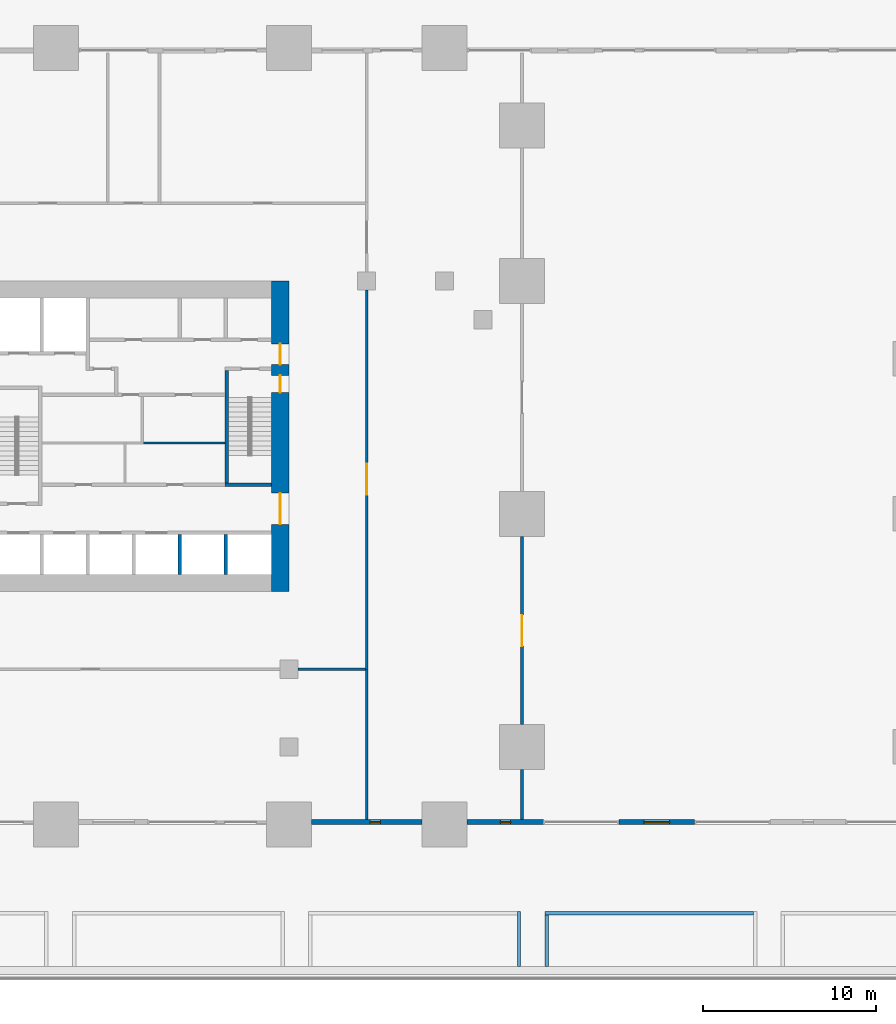
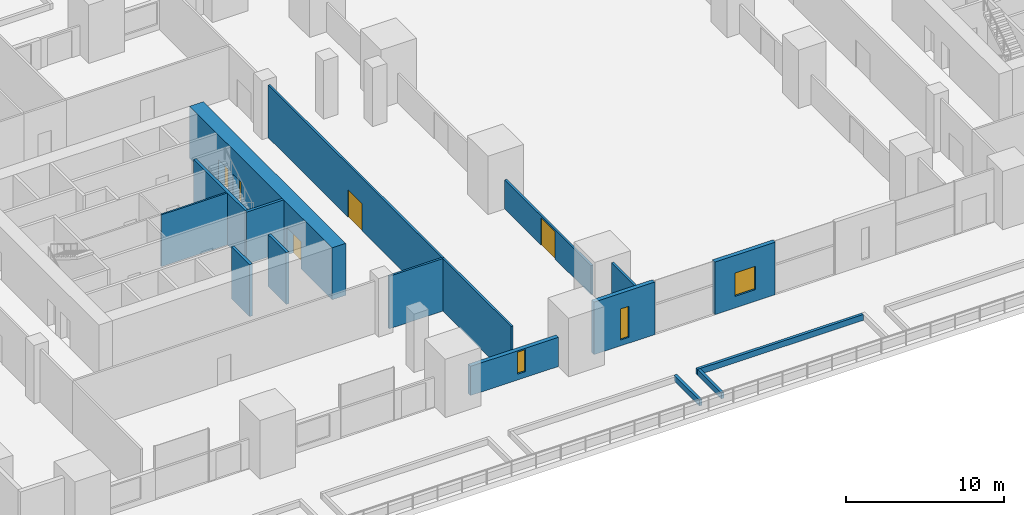
# One storey, part 16 of 26: 17 walls, 5 doors, 3 windows, 8 openings.
"""IFC4 building model written with IfcOpenShell, lengths in metres."""

from ifc_helpers import new_model, si_unit, direction, frame, frame_2d, origin, place, context, subcontext, project, spatial, rectangle, extrude, material, layer, layer_set, type_object, element, fill, save


model = new_model("IFC4")

# Units and contexts
model_context = context("Model", 3, precision=1e-05, world=origin(), true_north=direction((0.0, 1.0)))
body_context = subcontext(model_context, "Body", "Model", "MODEL_VIEW")
ifc_project = project(units=[si_unit("LENGTHUNIT", "METRE"), si_unit("AREAUNIT", "SQUARE_METRE"), si_unit("VOLUMEUNIT", "CUBIC_METRE"), si_unit("PLANEANGLEUNIT", "RADIAN"), si_unit("MASSUNIT", "GRAM", prefix="KILO")], contexts=[model_context])

# Site, building, storey
site_placement = place(None, origin())
site = spatial("IfcSite", under=ifc_project, at=site_placement, CompositionType="ELEMENT")
building_placement = place(site_placement, origin())
building = spatial("IfcBuilding", under=site, at=building_placement, Name="Altepetl Exchange Towers", CompositionType="ELEMENT")
storey_placement = place(building_placement, frame((0.0, 0.0, 16.5)))
storey = spatial("IfcBuildingStorey", under=building, at=storey_placement, Name="L03 Podium terrace", CompositionType="ELEMENT", Elevation=16.5)

# Wall, openings, doors
ifc_material_1 = material(Name="Concrete C70/85", Category="concrete")
ifc_layer_1 = layer(ifc_material_1, 1.0)
ifc_layer_set_1 = layer_set([ifc_layer_1], Name="Concrete C70/85")
wall_type_1 = type_object("IfcWallType", Name="Core wall 1000 reinforced concrete", PredefinedType="SHEAR", material=ifc_layer_set_1)
wall_1_placement = place(storey_placement, frame((58.0, 40.5, 0.0), z_axis=(0.0, 0.0, 1.0), x_axis=(0.0, 1.0, 0.0)))
wall_1 = element("IfcWall", 1, at=wall_1_placement, inside=storey, type_object=wall_type_1, Name="wall:A:L03:K-coreE", PredefinedType="SHEAR", context=body_context, shape_type="SweptSolid", body=[
    extrude(rectangle(XDim=18.0, YDim=1.0, at=frame_2d((9.0, 0.0))), origin(), (0.0, 0.0, 1.0), 4.0),
])
opening_1_placement = place(wall_1_placement, frame((13.14990234375, 0.0, 0.0)))
opening_1 = element("IfcOpeningElement", 2, at=opening_1_placement, cuts=wall_1, Name="Opening L03.A60", PredefinedType="OPENING", context=body_context, shape_type="SweptSolid", body=[
    extrude(rectangle(XDim=1.199951171875, YDim=2.10009765625, at=frame_2d((0.60009765625, 1.050048828125))), frame((0.0, 0.510009765625, 0.0), z_axis=(0.0, -1.0, 0.0), x_axis=(1.0, 0.0, 0.0)), (0.0, 0.0, 1.0), 1.02001953125),
])
opening_2_placement = place(wall_1_placement, frame((3.89990234375, 0.0, 0.0)))
opening_2 = element("IfcOpeningElement", 3, at=opening_2_placement, cuts=wall_1, Name="Opening L03.A61", PredefinedType="OPENING", context=body_context, shape_type="SweptSolid", body=[
    extrude(rectangle(XDim=1.800048828125, YDim=2.10009765625, at=frame_2d((0.89990234375, 1.050048828125))), frame((0.0, 0.510009765625, 0.0), z_axis=(0.0, -1.0, 0.0), x_axis=(1.0, 0.0, 0.0)), (0.0, 0.0, 1.0), 1.02001953125),
])
opening_3_placement = place(wall_1_placement, frame((11.52490234375, 0.0, 0.0)))
opening_3 = element("IfcOpeningElement", 4, at=opening_3_placement, cuts=wall_1, Name="Opening L03.A66", PredefinedType="OPENING", context=body_context, shape_type="SweptSolid", body=[
    extrude(rectangle(XDim=1.0, YDim=2.10009765625, at=frame_2d((0.5, 1.050048828125))), frame((0.0, 0.510009765625, 0.0), z_axis=(0.0, -1.0, 0.0), x_axis=(1.0, 0.0, 0.0)), (0.0, 0.0, 1.0), 1.02001953125),
])
ifc_material_2 = material(Name="Steel and timber fire door", Category="steel")
door_type_1 = type_object("IfcDoorType", Name="Fire door 1000 x 2100 stair and lobby", OperationType="SINGLE_SWING_LEFT", PredefinedType="DOOR", material=ifc_material_2)
door_1_placement = place(opening_3_placement, origin())
door_1 = element("IfcDoor", 5, at=door_1_placement, inside=storey, type_object=door_type_1, Name="door:A:L03:K-dS2x", OperationType="SINGLE_SWING_RIGHT", OverallHeight=2.10009765625, OverallWidth=1.0, PredefinedType="DOOR", context=body_context, shape_type="SweptSolid", body=[
    extrude(rectangle(XDim=1.0, YDim=2.10009765625, at=frame_2d((0.5, 1.050048828125))), frame((0.0, 0.02490234375, 0.0), z_axis=(0.0, -1.0, 0.0), x_axis=(1.0, 0.0, 0.0)), (0.0, 0.0, 1.0), 0.050048828125),
])
fill(opening_3, door_1)
door_type_2 = type_object("IfcDoorType", Name="Fire door 1200 x 2100 lobby entry", OperationType="SINGLE_SWING_LEFT", PredefinedType="DOOR", material=ifc_material_2)
door_2_placement = place(opening_1_placement, origin())
door_2 = element("IfcDoor", 6, at=door_2_placement, inside=storey, type_object=door_type_2, Name="door:A:L03:K-dLNE", OperationType="SINGLE_SWING_RIGHT", OverallHeight=2.10009765625, OverallWidth=1.199951171875, PredefinedType="DOOR", context=body_context, shape_type="SweptSolid", body=[
    extrude(rectangle(XDim=1.199951171875, YDim=2.10009765625, at=frame_2d((0.60009765625, 1.050048828125))), frame((0.0, 0.02490234375, 0.0), z_axis=(0.0, -1.0, 0.0), x_axis=(1.0, 0.0, 0.0)), (0.0, 0.0, 1.0), 0.050048828125),
])
fill(opening_1, door_2)
door_type_3 = type_object("IfcDoorType", Name="Fire door 1800 x 2100 lobby entry", OperationType="DOUBLE_DOOR_SINGLE_SWING", PredefinedType="DOOR", material=ifc_material_2)
door_3_placement = place(opening_2_placement, origin())
door_3 = element("IfcDoor", 7, at=door_3_placement, inside=storey, type_object=door_type_3, Name="door:A:L03:K-dLSE", OperationType="DOUBLE_DOOR_SINGLE_SWING", OverallHeight=2.10009765625, OverallWidth=1.800048828125, PredefinedType="DOOR", context=body_context, shape_type="SweptSolid", body=[
    extrude(rectangle(XDim=1.800048828125, YDim=2.10009765625, at=frame_2d((0.89990234375, 1.050048828125))), frame((0.0, 0.02490234375, 0.0), z_axis=(0.0, -1.0, 0.0), x_axis=(1.0, 0.0, 0.0)), (0.0, 0.0, 1.0), 0.050048828125),
])
fill(opening_2, door_3)

# Walls
ifc_material_3 = material(Name="Gypsum board on steel studs", Category="steel")
ifc_layer_2 = layer(ifc_material_3, 0.125)
ifc_layer_set_2 = layer_set([ifc_layer_2], Name="Gypsum board on steel studs")
wall_type_2 = type_object("IfcWallType", Name="Partition 125 gypsum board on steel studs", PredefinedType="PARTITIONING", material=ifc_layer_set_2)
wall_2_placement = place(storey_placement, frame((54.800048828125, 49.10009765625, 0.0), z_axis=(0.0, 0.0, 1.0), x_axis=(-1.0, 0.0, 0.0)))
element("IfcWall", 8, at=wall_2_placement, inside=storey, type_object=wall_type_2, Name="wall:A:L03:K-zp4", PredefinedType="PARTITIONING", context=body_context, shape_type="SweptSolid", body=[
    extrude(rectangle(XDim=4.800048828125, YDim=0.125, at=frame_2d((2.39990234375, 0.0))), origin(), (0.0, 0.0, 1.0), 4.0),
])
ifc_material_4 = material(Name="Reinforced concrete C35/45", Category="concrete")
ifc_layer_3 = layer(ifc_material_4, 0.199951171875)
ifc_layer_set_3 = layer_set([ifc_layer_3], Name="Reinforced concrete C35/45")
wall_type_3 = type_object("IfcWallType", Name="Planting bed curb 200", PredefinedType="SOLIDWALL", material=ifc_layer_set_3)
wall_3_placement = place(storey_placement, frame((71.824951171875, 18.77490234375, 0.0), z_axis=(0.0, 0.0, 1.0), x_axis=(0.0, 1.0, 0.0)))
element("IfcWall", 9, at=wall_3_placement, inside=storey, type_object=wall_type_3, Name="wall:P:L03:CB07e", PredefinedType="SOLIDWALL", context=body_context, shape_type="SweptSolid", body=[
    extrude(rectangle(XDim=3.2001953125, YDim=0.199951171875, at=frame_2d((1.60009765625, 0.0))), origin(), (0.0, 0.0, 1.0), 0.449951171875),
])
wall_4_placement = place(storey_placement, frame((73.324951171875, 21.875, 0.0)))
element("IfcWall", 10, at=wall_4_placement, inside=storey, type_object=wall_type_3, Name="wall:P:L03:CB08n", PredefinedType="SOLIDWALL", context=body_context, shape_type="SweptSolid", body=[
    extrude(rectangle(XDim=12.087646484375, YDim=0.199951171875, at=frame_2d((6.0439453125, 0.0))), origin(), (0.0, 0.0, 1.0), 0.449951171875),
])
wall_5_placement = place(storey_placement, frame((73.425048828125, 18.77490234375, 0.0), z_axis=(0.0, 0.0, 1.0), x_axis=(0.0, 1.0, 0.0)))
element("IfcWall", 11, at=wall_5_placement, inside=storey, type_object=wall_type_3, Name="wall:P:L03:CB08w", PredefinedType="SOLIDWALL", context=body_context, shape_type="SweptSolid", body=[
    extrude(rectangle(XDim=3.0, YDim=0.199951171875, at=frame_2d((1.5, 0.0))), origin(), (0.0, 0.0, 1.0), 0.449951171875),
])
ifc_layer_4 = layer(ifc_material_3, 0.14990234375)
ifc_layer_set_4 = layer_set([ifc_layer_4], Name="Gypsum board on steel studs")
wall_type_4 = type_object("IfcWallType", Name="Podium partition 150", PredefinedType="PARTITIONING", material=ifc_layer_set_4)
wall_6_placement = place(storey_placement, frame((72.0, 27.300048828125, 0.0), z_axis=(0.0, 0.0, 1.0), x_axis=(0.0, 1.0, 0.0)))
element("IfcWall", 12, at=wall_6_placement, inside=storey, type_object=wall_type_4, Name="wall:P:L03:P001", PredefinedType="PARTITIONING", context=body_context, shape_type="SweptSolid", body=[
    extrude(rectangle(XDim=2.905029296875, YDim=0.14990234375, at=frame_2d((1.45263671875, 0.0))), origin(), (0.0, 0.0, 1.0), 4.050048828125),
])

# Wall, opening, door
wall_7_placement = place(storey_placement, frame((72.0, 32.794921875, 0.0), z_axis=(0.0, 0.0, 1.0), x_axis=(0.0, 1.0, 0.0)))
wall_7 = element("IfcWall", 13, at=wall_7_placement, inside=storey, type_object=wall_type_4, Name="wall:P:L03:P002", PredefinedType="PARTITIONING", context=body_context, shape_type="SweptSolid", body=[
    extrude(rectangle(XDim=10.91015625, YDim=0.14990234375, at=frame_2d((5.455078125, 0.0))), origin(), (0.0, 0.0, 1.0), 2.25),
])
opening_4_placement = place(wall_7_placement, frame((4.550048828125, 0.0, 0.0)))
opening_4 = element("IfcOpeningElement", 14, at=opening_4_placement, cuts=wall_7, Name="Opening L03.P012", PredefinedType="OPENING", context=body_context, shape_type="SweptSolid", body=[
    extrude(rectangle(XDim=1.800048828125, YDim=2.10009765625, at=frame_2d((0.89990234375, 1.050048828125))), frame((0.0, 0.0849609375, 0.0), z_axis=(0.0, -1.0, 0.0), x_axis=(1.0, 0.0, 0.0)), (0.0, 0.0, 1.0), 0.169921875),
])
ifc_material_5 = material(Name="Glazed aluminium and steel", Category="steel")
door_type_4 = type_object("IfcDoorType", Name="Podium fire door 1800 x 2100 double leaf", OperationType="DOUBLE_DOOR_SINGLE_SWING", PredefinedType="DOOR", material=ifc_material_5)
door_4_placement = place(opening_4_placement, origin())
door_4 = element("IfcDoor", 15, at=door_4_placement, inside=storey, type_object=door_type_4, Name="door:P:L03:012", OperationType="DOUBLE_DOOR_SINGLE_SWING", OverallHeight=2.10009765625, OverallWidth=1.800048828125, PredefinedType="DOOR", context=body_context, shape_type="SweptSolid", body=[
    extrude(rectangle(XDim=1.800048828125, YDim=2.10009765625, at=frame_2d((0.89990234375, 1.050048828125))), frame((0.0, 0.02490234375, 0.0), z_axis=(0.0, -1.0, 0.0), x_axis=(1.0, 0.0, 0.0)), (0.0, 0.0, 1.0), 0.050048828125),
])
fill(opening_4, door_4)

wall_8_placement = place(storey_placement, frame((63.0, 35.925048828125, 0.0), z_axis=(0.0, 0.0, 1.0), x_axis=(0.0, 1.0, 0.0)))
wall_8 = element("IfcWall", 16, at=wall_8_placement, inside=storey, type_object=wall_type_4, Name="wall:P:L03:P012", PredefinedType="PARTITIONING", context=body_context, shape_type="SweptSolid", body=[
    extrude(rectangle(XDim=22.054931640625, YDim=0.14990234375, at=frame_2d((11.02734375, 0.0))), origin(), (0.0, 0.0, 1.0), 4.050048828125),
])
opening_5_placement = place(wall_8_placement, frame((10.175048828125, 0.0, 0.0)))
opening_5 = element("IfcOpeningElement", 17, at=opening_5_placement, cuts=wall_8, Name="Opening L03.P017", PredefinedType="OPENING", context=body_context, shape_type="SweptSolid", body=[
    extrude(rectangle(XDim=1.800048828125, YDim=2.10009765625, at=frame_2d((0.89990234375, 1.050048828125))), frame((0.0, 0.0849609375, 0.0), z_axis=(0.0, -1.0, 0.0), x_axis=(1.0, 0.0, 0.0)), (0.0, 0.0, 1.0), 0.169921875),
])
door_5_placement = place(opening_5_placement, frame((1.800048828125, 0.0, 0.0), x_axis=(-1.0, 0.0, 0.0)))
door_5 = element("IfcDoor", 18, at=door_5_placement, inside=storey, type_object=door_type_4, Name="door:P:L03:017", OperationType="DOUBLE_DOOR_SINGLE_SWING", OverallHeight=2.10009765625, OverallWidth=1.800048828125, PredefinedType="DOOR", context=body_context, shape_type="SweptSolid", body=[
    extrude(rectangle(XDim=1.800048828125, YDim=2.10009765625, at=frame_2d((0.89990234375, 1.050048828125))), frame((0.0, 0.02490234375, 0.0), z_axis=(0.0, -1.0, 0.0), x_axis=(1.0, 0.0, 0.0)), (0.0, 0.0, 1.0), 0.050048828125),
])
fill(opening_5, door_5)

# Walls
wall_9_placement = place(storey_placement, frame((63.0, 27.300048828125, 0.0), z_axis=(0.0, 0.0, 1.0), x_axis=(0.0, 1.0, 0.0)))
element("IfcWall", 19, at=wall_9_placement, inside=storey, type_object=wall_type_4, Name="wall:P:L03:P014", PredefinedType="PARTITIONING", context=body_context, shape_type="SweptSolid", body=[
    extrude(rectangle(XDim=8.699951171875, YDim=0.14990234375, at=frame_2d((4.35009765625, 0.0))), origin(), (0.0, 0.0, 1.0), 4.050048828125),
])
wall_10_placement = place(storey_placement, frame((59.02001953125, 36.0, 0.0)))
element("IfcWall", 20, at=wall_10_placement, inside=storey, type_object=wall_type_4, Name="wall:P:L03:P020", PredefinedType="PARTITIONING", context=body_context, shape_type="SweptSolid", body=[
    extrude(rectangle(XDim=3.905029296875, YDim=0.14990234375, at=frame_2d((1.95263671875, 0.0))), origin(), (0.0, 0.0, 1.0), 4.050048828125),
])
ifc_material_6 = material(Name="Concrete C40/50", Category="concrete")
ifc_layer_5 = layer(ifc_material_6, 0.199951171875)
ifc_layer_set_5 = layer_set([ifc_layer_5], Name="Concrete C40/50")
wall_type_5 = type_object("IfcWallType", Name="Shaft wall 200 reinforced concrete", PredefinedType="SHEAR", material=ifc_layer_set_5)
for number, where, z_axis, x_axis, name in (
    (21, (52.166748046875, 41.5, 0.0), (0.0, 0.0, 1.0), (0.0, 1.0, 0.0), "wall:A:L03:K-divS4"),
    (22, (54.833251953125, 41.5, 0.0), (0.0, 0.0, 1.0), (0.0, 1.0, 0.0), "wall:A:L03:K-divS5"),
):
    element("IfcWall", number, at=place(storey_placement, frame(where, z_axis=z_axis, x_axis=x_axis)), inside=storey, type_object=wall_type_5, Name=name, PredefinedType="SHEAR", context=body_context, shape_type="SweptSolid", body=[
        extrude(rectangle(XDim=2.300048828125, YDim=0.199951171875, at=frame_2d((1.14990234375, 0.0))), origin(), (0.0, 0.0, 1.0), 4.0),
    ])
ifc_layer_6 = layer(ifc_material_6, 0.199951171875)
ifc_layer_set_6 = layer_set([ifc_layer_6], Name="Concrete C40/50")
wall_type_6 = type_object("IfcWallType", Name="Stair wall 200 reinforced concrete", PredefinedType="SHEAR", material=ifc_layer_set_6)
wall_11_placement = place(storey_placement, frame((54.800048828125, 46.699951171875, 0.0)))
element("IfcWall", 23, at=wall_11_placement, inside=storey, type_object=wall_type_6, Name="wall:A:L03:K-stS2S", PredefinedType="SHEAR", context=body_context, shape_type="SweptSolid", body=[
    extrude(rectangle(XDim=2.699951171875, YDim=0.199951171875, at=frame_2d((1.35009765625, 0.0))), origin(), (0.0, 0.0, 1.0), 4.0),
])
wall_12_placement = place(storey_placement, frame((54.89990234375, 46.800048828125, 0.0), z_axis=(0.0, 0.0, 1.0), x_axis=(0.0, 1.0, 0.0)))
element("IfcWall", 24, at=wall_12_placement, inside=storey, type_object=wall_type_6, Name="wall:A:L03:K-stS2W", PredefinedType="SHEAR", context=body_context, shape_type="SweptSolid", body=[
    extrude(rectangle(XDim=6.5, YDim=0.199951171875, at=frame_2d((3.25, 0.0))), origin(), (0.0, 0.0, 1.0), 4.0),
])

# Wall, opening, window
ifc_material_7 = material(Name="Cantera limestone cladding", Category="masonry")
ifc_layer_7 = layer(ifc_material_7, 0.300048828125)
ifc_layer_set_7 = layer_set([ifc_layer_7], Name="Cantera limestone cladding")
wall_type_7 = type_object("IfcWallType", Name="Stone wall panel 300", PredefinedType="ELEMENTEDWALL", material=ifc_layer_set_7)
wall_13_placement = place(storey_placement, frame((59.800048828125, 27.14990234375, 0.0)))
wall_13 = element("IfcWall", 25, at=wall_13_placement, inside=storey, type_object=wall_type_7, Name="Stone wall panel", PredefinedType="ELEMENTEDWALL", context=body_context, shape_type="SweptSolid", body=[
    extrude(rectangle(XDim=6.39990234375, YDim=0.300048828125, at=frame_2d((3.199951171875, 0.0))), origin(), (0.0, 0.0, 1.0), 2.25),
])
opening_6_placement = place(wall_13_placement, frame((3.39990234375, 0.0, 0.449951171875)))
opening_6 = element("IfcOpeningElement", 26, at=opening_6_placement, cuts=wall_13, Name="Opening W6", PredefinedType="OPENING", context=body_context, shape_type="SweptSolid", body=[
    extrude(rectangle(XDim=0.60009765625, YDim=1.699951171875, at=frame_2d((0.300048828125, 0.85009765625))), frame((0.0, 0.16015625, 0.0), z_axis=(0.0, -1.0, 0.0), x_axis=(1.0, 0.0, 0.0)), (0.0, 0.0, 1.0), 0.320068359375),
])
ifc_material_8 = material(Name="Aluminium 6063-T6 and glass", Category="aluminium")
window_type_1 = type_object("IfcWindowType", Name="Tall slot window 600x1700", PartitioningType="SINGLE_PANEL", PredefinedType="WINDOW", material=ifc_material_8)
window_1_placement = place(opening_6_placement, origin())
window_1 = element("IfcWindow", 27, at=window_1_placement, inside=storey, type_object=window_type_1, Name="Window", OverallHeight=1.699951171875, OverallWidth=0.60009765625, PartitioningType="SINGLE_PANEL", PredefinedType="WINDOW", context=body_context, shape_type="SweptSolid", body=[
    extrude(rectangle(XDim=0.60009765625, YDim=1.699951171875, at=frame_2d((0.300048828125, 0.85009765625))), frame((0.0, 0.030029296875, 0.0), z_axis=(0.0, -1.0, 0.0), x_axis=(1.0, 0.0, 0.0)), (0.0, 0.0, 1.0), 0.06005859375),
])
fill(opening_6, window_1)

wall_14_placement = place(storey_placement, frame((68.800048828125, 27.14990234375, 0.0)))
wall_14 = element("IfcWall", 28, at=wall_14_placement, inside=storey, type_object=wall_type_7, Name="Stone wall panel", PredefinedType="ELEMENTEDWALL", context=body_context, shape_type="SweptSolid", body=[
    extrude(rectangle(XDim=4.433349609375, YDim=0.300048828125, at=frame_2d((2.216796875, 0.0))), origin(), (0.0, 0.0, 1.0), 4.050048828125),
])
opening_7_placement = place(wall_14_placement, frame((1.941650390625, 0.0, 0.449951171875)))
opening_7 = element("IfcOpeningElement", 29, at=opening_7_placement, cuts=wall_14, Name="Opening W3", PredefinedType="OPENING", context=body_context, shape_type="SweptSolid", body=[
    extrude(rectangle(XDim=0.60009765625, YDim=2.39990234375, at=frame_2d((0.300048828125, 1.199951171875))), frame((0.0, 0.16015625, 0.0), z_axis=(0.0, -1.0, 0.0), x_axis=(1.0, 0.0, 0.0)), (0.0, 0.0, 1.0), 0.320068359375),
])
window_type_2 = type_object("IfcWindowType", Name="Tall slot window 600x2400", PartitioningType="SINGLE_PANEL", PredefinedType="WINDOW", material=ifc_material_8)
window_2_placement = place(opening_7_placement, origin())
window_2 = element("IfcWindow", 30, at=window_2_placement, inside=storey, type_object=window_type_2, Name="Window", OverallHeight=2.39990234375, OverallWidth=0.60009765625, PartitioningType="SINGLE_PANEL", PredefinedType="WINDOW", context=body_context, shape_type="SweptSolid", body=[
    extrude(rectangle(XDim=0.60009765625, YDim=2.39990234375, at=frame_2d((0.300048828125, 1.199951171875))), frame((0.0, 0.030029296875, 0.0), z_axis=(0.0, -1.0, 0.0), x_axis=(1.0, 0.0, 0.0)), (0.0, 0.0, 1.0), 0.06005859375),
])
fill(opening_7, window_2)

wall_15_placement = place(storey_placement, frame((77.61669921875, 27.14990234375, 0.0)))
wall_15 = element("IfcWall", 31, at=wall_15_placement, inside=storey, type_object=wall_type_7, Name="Stone wall panel", PredefinedType="ELEMENTEDWALL", context=body_context, shape_type="SweptSolid", body=[
    extrude(rectangle(XDim=4.38330078125, YDim=0.300048828125, at=frame_2d((2.191650390625, 0.0))), origin(), (0.0, 0.0, 1.0), 4.050048828125),
])
opening_8_placement = place(wall_15_placement, frame((1.441650390625, 0.0, 0.89990234375)))
opening_8 = element("IfcOpeningElement", 32, at=opening_8_placement, cuts=wall_15, Name="Opening W2", PredefinedType="OPENING", context=body_context, shape_type="SweptSolid", body=[
    extrude(rectangle(XDim=1.5, YDim=1.800048828125, at=frame_2d((0.75, 0.89990234375))), frame((0.0, 0.16015625, 0.0), z_axis=(0.0, -1.0, 0.0), x_axis=(1.0, 0.0, 0.0)), (0.0, 0.0, 1.0), 0.320068359375),
])
ifc_material_9 = material(Name="Timber and glass", Category="wood")
window_type_3 = type_object("IfcWindowType", Name="Punched window 1500x1800", PartitioningType="SINGLE_PANEL", PredefinedType="WINDOW", material=ifc_material_9)
window_3_placement = place(opening_8_placement, origin())
window_3 = element("IfcWindow", 33, at=window_3_placement, inside=storey, type_object=window_type_3, Name="Window", OverallHeight=1.800048828125, OverallWidth=1.5, PartitioningType="SINGLE_PANEL", PredefinedType="WINDOW", context=body_context, shape_type="SweptSolid", body=[
    extrude(rectangle(XDim=1.5, YDim=1.800048828125, at=frame_2d((0.75, 0.89990234375))), frame((0.0, 0.030029296875, 0.0), z_axis=(0.0, -1.0, 0.0), x_axis=(1.0, 0.0, 0.0)), (0.0, 0.0, 1.0), 0.06005859375),
])
fill(opening_8, window_3)

save(model, "model.ifc")
